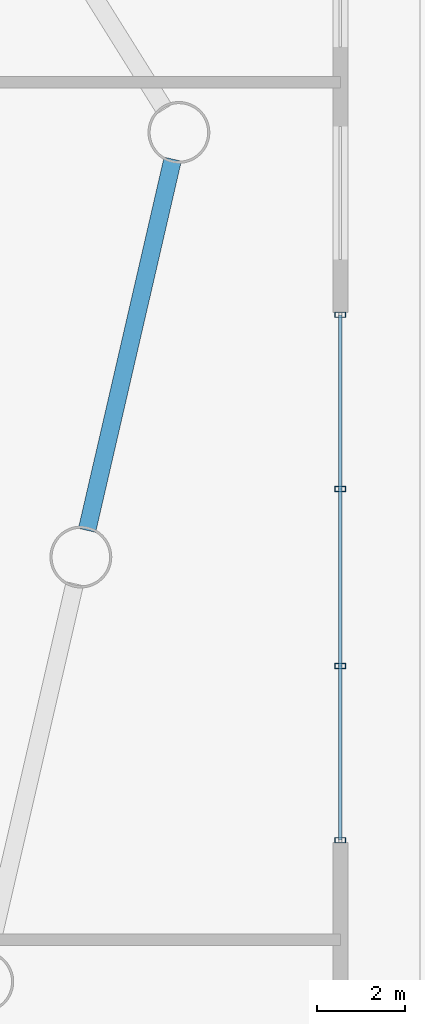
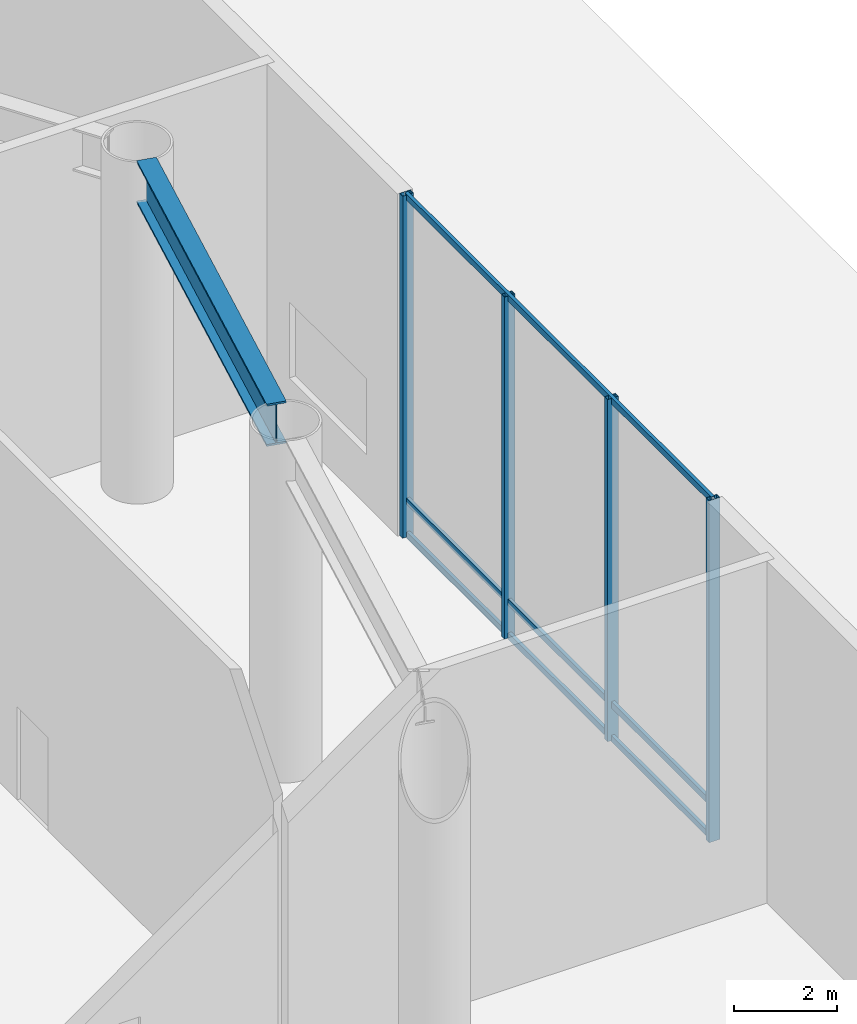
# One storey, part 15 of 28: 7 members, 1 beam, 1 element without a shape of its own.
"""IFC4 building model written with IfcOpenShell, lengths in metres."""

from ifc_helpers import new_model, si_unit, direction, frame, origin, origin_2d, place, context, subcontext, project, spatial, hollow_rectangle, i_section, extrude, material, layer, layer_set, material_profile, profile_set, type_object, element, aggregate, save


model = new_model("IFC4")

# Units and contexts
model_context = context("Model", 3, precision=1e-05, world=origin(), true_north=direction((0.0, 1.0)))
body_context = subcontext(model_context, "Body", "Model", "MODEL_VIEW")
ifc_project = project(units=[si_unit("LENGTHUNIT", "METRE"), si_unit("AREAUNIT", "SQUARE_METRE"), si_unit("VOLUMEUNIT", "CUBIC_METRE"), si_unit("PLANEANGLEUNIT", "RADIAN"), si_unit("MASSUNIT", "GRAM", prefix="KILO")], contexts=[model_context])

# Site, building, storey
site_placement = place(None, origin())
site = spatial("IfcSite", under=ifc_project, at=site_placement, CompositionType="ELEMENT")
building_placement = place(site_placement, origin())
building = spatial("IfcBuilding", under=site, at=building_placement, Name="Tavrogorsk Clinical Tower", CompositionType="ELEMENT")
storey_placement = place(building_placement, origin())
storey = spatial("IfcBuildingStorey", under=building, at=storey_placement, Name="L00", CompositionType="ELEMENT", Elevation=0.0)

# Curtain wall, members
ifc_material_1 = material(Name="Anodised aluminium and triple IGU glazing", Category="aluminium")
ifc_layer = layer(ifc_material_1, 0.179931640625)
ifc_layer_set = layer_set([ifc_layer], Name="Anodised aluminium and triple IGU glazing")
curtain_wall_type = type_object("IfcCurtainWallType", Name="CW1_LobbyStick", PredefinedType="NOTDEFINED", material=ifc_layer_set)
curtain_wall_placement = place(storey_placement, origin())
curtain_wall = element("IfcCurtainWall", 1, at=curtain_wall_placement, inside=storey, type_object=curtain_wall_type, Name="L00 Curtain Wall CW-L00-E1", PredefinedType="NOTDEFINED")
ifc_material_2 = material(Name="Anodised aluminium alloy AW-6060", Category="aluminium")
ifc_material_profile_1 = material_profile(ifc_material_2, hollow_rectangle(XDim=0.1201171875, YDim=0.239990234375, WallThickness=0.008056640625, at=origin_2d()), Name="RHS-240x120x8")
ifc_profile_set_1 = profile_set([ifc_material_profile_1], Name="Anodised aluminium alloy AW-6060")
member_type_1 = type_object("IfcMemberType", Name="CwMullion_240x120", PredefinedType="MULLION", material=ifc_profile_set_1)
member_1_placement = place(storey_placement, frame((44.0, -7.444091796875, 0.0), z_axis=(0.0, 0.0, 1.0), x_axis=(0.0, 1.0, 0.0)))
member_1 = element("IfcMember", 2, at=member_1_placement, type_object=member_type_1, Name="CW-L00-E1 Mullion 1", PredefinedType="MULLION", context=body_context, shape_type="SweptSolid", body=[
    extrude(hollow_rectangle(XDim=0.1201171875, YDim=0.239990234375, WallThickness=0.008056640625, at=origin_2d()), origin(), (0.0, 0.0, 1.0), 8.10009765625),
])
member_2_placement = place(storey_placement, frame((44.0, -3.501220703125, 0.0), z_axis=(0.0, 0.0, 1.0), x_axis=(0.0, 1.0, 0.0)))
member_2 = element("IfcMember", 3, at=member_2_placement, type_object=member_type_1, Name="CW-L00-E1 Mullion 2", PredefinedType="MULLION", context=body_context, shape_type="SweptSolid", body=[
    extrude(hollow_rectangle(XDim=0.1201171875, YDim=0.239990234375, WallThickness=0.008056640625, at=origin_2d()), origin(), (0.0, 0.0, 1.0), 8.10009765625),
])
member_3_placement = place(storey_placement, frame((44.0, 0.501220703125, 0.0), z_axis=(0.0, 0.0, 1.0), x_axis=(0.0, 1.0, 0.0)))
member_3 = element("IfcMember", 4, at=member_3_placement, type_object=member_type_1, Name="CW-L00-E1 Mullion 3", PredefinedType="MULLION", context=body_context, shape_type="SweptSolid", body=[
    extrude(hollow_rectangle(XDim=0.1201171875, YDim=0.239990234375, WallThickness=0.008056640625, at=origin_2d()), origin(), (0.0, 0.0, 1.0), 8.10009765625),
])
member_4_placement = place(storey_placement, frame((44.0, 4.444091796875, 0.0), z_axis=(0.0, 0.0, 1.0), x_axis=(0.0, 1.0, 0.0)))
member_4 = element("IfcMember", 5, at=member_4_placement, type_object=member_type_1, Name="CW-L00-E1 Mullion 4", PredefinedType="MULLION", context=body_context, shape_type="SweptSolid", body=[
    extrude(hollow_rectangle(XDim=0.1201171875, YDim=0.239990234375, WallThickness=0.008056640625, at=origin_2d()), origin(), (0.0, 0.0, 1.0), 8.10009765625),
])
ifc_material_3 = material(Name="Anodised aluminium alloy AW-6060", Category="aluminium")
ifc_material_profile_2 = material_profile(ifc_material_3, hollow_rectangle(XDim=0.074951171875, YDim=0.14990234375, WallThickness=0.0048828125, at=origin_2d()), Name="RHS-150x75x5")
ifc_profile_set_2 = profile_set([ifc_material_profile_2], Name="Anodised aluminium alloy AW-6060")
member_type_2 = type_object("IfcMemberType", Name="CwTransom_150x75", PredefinedType="USERDEFINED", material=ifc_profile_set_2)
member_5_placement = place(storey_placement, frame((44.0, -7.444091796875, 0.050048828125), z_axis=(0.0, 1.0, 0.0), x_axis=(-1.0, 0.0, 0.0)))
member_5 = element("IfcMember", 6, at=member_5_placement, type_object=member_type_2, Name="CW-L00-E1 Transom 1", ObjectType="TRANSOM", PredefinedType="USERDEFINED", context=body_context, shape_type="SweptSolid", body=[
    extrude(hollow_rectangle(XDim=0.074951171875, YDim=0.14990234375, WallThickness=0.0048828125, at=origin_2d()), origin(), (0.0, 0.0, 1.0), 11.88818359375),
])
member_6_placement = place(storey_placement, frame((44.0, -7.444091796875, 0.85009765625), z_axis=(0.0, 1.0, 0.0), x_axis=(-1.0, 0.0, 0.0)))
member_6 = element("IfcMember", 7, at=member_6_placement, type_object=member_type_2, Name="CW-L00-E1 Transom 2", ObjectType="TRANSOM", PredefinedType="USERDEFINED", context=body_context, shape_type="SweptSolid", body=[
    extrude(hollow_rectangle(XDim=0.074951171875, YDim=0.14990234375, WallThickness=0.0048828125, at=origin_2d()), origin(), (0.0, 0.0, 1.0), 11.88818359375),
])
member_7_placement = place(storey_placement, frame((44.0, -7.444091796875, 8.050048828125), z_axis=(0.0, 1.0, 0.0), x_axis=(-1.0, 0.0, 0.0)))
member_7 = element("IfcMember", 8, at=member_7_placement, type_object=member_type_2, Name="CW-L00-E1 Transom 3", ObjectType="TRANSOM", PredefinedType="USERDEFINED", context=body_context, shape_type="SweptSolid", body=[
    extrude(hollow_rectangle(XDim=0.074951171875, YDim=0.14990234375, WallThickness=0.0048828125, at=origin_2d()), origin(), (0.0, 0.0, 1.0), 11.88818359375),
])
aggregate(curtain_wall, [member_1, member_2, member_3, member_4, member_5, member_6, member_7])

# Beam
ifc_material_4 = material(Name="Structural steel S440", Category="steel")
ifc_material_profile_3 = material_profile(ifc_material_4, i_section(OverallWidth=0.39990234375, OverallDepth=1.0, WebThickness=0.028076171875, FlangeThickness=0.044921875, at=origin_2d()), Name="DK-1000x400x28x45")
ifc_profile_set_3 = profile_set([ifc_material_profile_3], Name="Structural steel S440")
beam_type = type_object("IfcBeamType", Name="TransferGirder_DK1000", PredefinedType="USERDEFINED", material=ifc_profile_set_3)
beam_placement = place(storey_placement, frame((38.269775390625, -0.43359375, 7.60009765625), z_axis=(0.224942247597, 0.974372097941, 0.0), x_axis=(-0.974372097941, 0.224942247597, 0.0)))
element("IfcBeam", 9, at=beam_placement, inside=storey, type_object=beam_type, Name="L00 Perimeter Stilt Ring Girder E4-E5", ObjectType="GIRDER", PredefinedType="USERDEFINED", context=body_context, shape_type="SweptSolid", body=[
    extrude(i_section(OverallWidth=0.39990234375, OverallDepth=1.0, WebThickness=0.028076171875, FlangeThickness=0.044921875, at=origin_2d()), origin(), (0.0, 0.0, 1.0), 8.619873046875),
])

save(model, "model.ifc")
